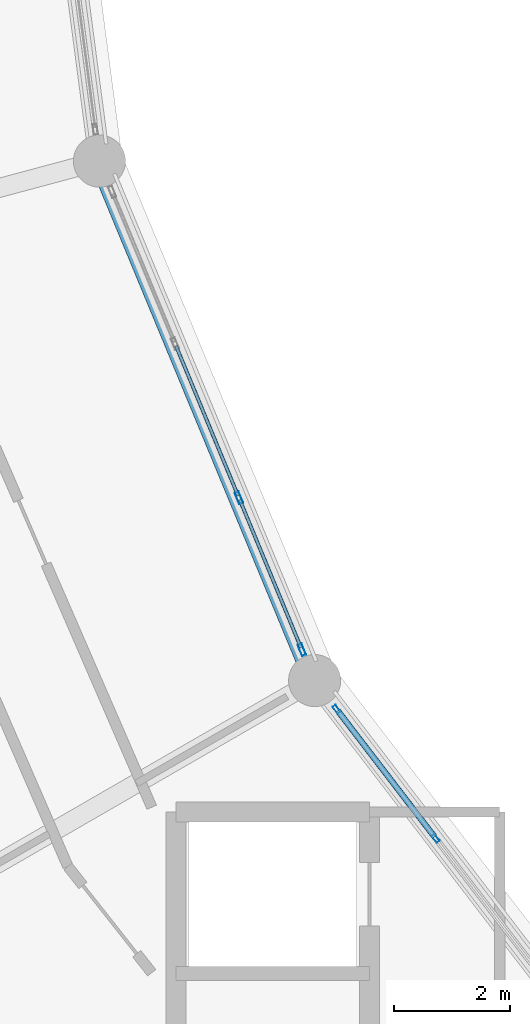
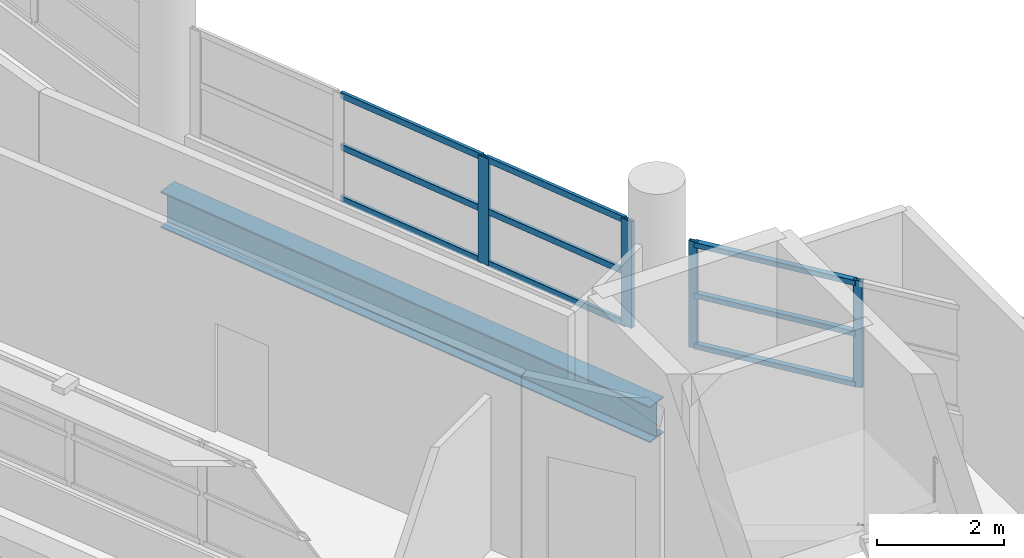
# One storey, part 32 of 108: 13 members, 1 beam, 2 elements without a shape of their own.
"""IFC4 building model written with IfcOpenShell, lengths in metres."""

from ifc_helpers import new_model, si_unit, direction, frame, origin, origin_2d, place, context, subcontext, project, spatial, hollow_rectangle, i_section, extrude, material, layer, layer_set, material_profile, profile_set, type_object, element, aggregate, save


model = new_model("IFC4")

# Units and contexts
model_context = context("Model", 3, precision=1e-05, world=origin(), true_north=direction((0.0, 1.0)))
body_context = subcontext(model_context, "Body", "Model", "MODEL_VIEW")
ifc_project = project(units=[si_unit("LENGTHUNIT", "METRE"), si_unit("AREAUNIT", "SQUARE_METRE"), si_unit("VOLUMEUNIT", "CUBIC_METRE"), si_unit("PLANEANGLEUNIT", "RADIAN"), si_unit("MASSUNIT", "GRAM", prefix="KILO")], contexts=[model_context])

# Site, building, storey
site_placement = place(None, origin())
site = spatial("IfcSite", under=ifc_project, at=site_placement, CompositionType="ELEMENT")
building_placement = place(site_placement, origin())
building = spatial("IfcBuilding", under=site, at=building_placement, Name="Vespera Passage Community Centre", CompositionType="ELEMENT")
storey_placement = place(building_placement, frame((0.0, 0.0, 12.60009765625)))
storey = spatial("IfcBuildingStorey", under=building, at=storey_placement, Name="L03", CompositionType="ELEMENT", Elevation=12.60009765625)

# Beam
ifc_material_1 = material(Name="Steel ASTM A992 Grade 50", Category="steel")
ifc_material_profile_1 = material_profile(ifc_material_1, i_section(OverallWidth=0.3544921875, OverallDepth=0.695556640625, WebThickness=0.015380859375, FlangeThickness=0.024658203125, FilletRadius=0.01513671875, at=origin_2d()), Name="W27X146")
ifc_profile_set_1 = profile_set([ifc_material_profile_1], Name="Steel ASTM A992 Grade 50")
beam_type = type_object("IfcBeamType", Name="BM-SP-W27X146E", PredefinedType="SPANDREL", material=ifc_profile_set_1)
beam_placement = place(storey_placement, frame((42.067626953125, 55.871826171875, -0.747802734375), z_axis=(0.382684844258, -0.923878947685, 0.0), x_axis=(0.923878947685, 0.382684844258, 0.0)))
element("IfcBeam", 1, at=beam_placement, inside=storey, type_object=beam_type, Name="V4 L03 Inner Spandrel 13", PredefinedType="SPANDREL", context=body_context, shape_type="SweptSolid", body=[
    extrude(i_section(OverallWidth=0.3544921875, OverallDepth=0.695556640625, WebThickness=0.015380859375, FlangeThickness=0.024658203125, FilletRadius=0.01513671875, at=origin_2d()), origin(), (0.0, 0.0, 1.0), 9.711181640625),
])

# Curtain wall, members
ifc_material_2 = material(Name="Anodized aluminium 6063-T6", Category="aluminium")
ifc_layer_1 = layer(ifc_material_2, 0.159912109375)
ifc_layer_set_1 = layer_set([ifc_layer_1], Name="Anodized aluminium 6063-T6")
curtain_wall_type_1 = type_object("IfcCurtainWallType", Name="CW-45E", PredefinedType="NOTDEFINED", material=ifc_layer_set_1)
curtain_wall_1_placement = place(storey_placement, origin())
curtain_wall_1 = element("IfcCurtainWall", 2, at=curtain_wall_1_placement, inside=storey, type_object=curtain_wall_type_1, Name="V4 L03 Inner Court Curtain Wall 14", PredefinedType="NOTDEFINED")
ifc_material_3 = material(Name="Anodized aluminium 6063-T6", Category="aluminium")
ifc_material_profile_2 = material_profile(ifc_material_3, hollow_rectangle(XDim=0.06494140625, YDim=0.14990234375, WallThickness=0.00390625, InnerFilletRadius=0.001953125, OuterFilletRadius=0.00390625, at=origin_2d()), Name="ALU150X65X4")
ifc_profile_set_2 = profile_set([ifc_material_profile_2], Name="Anodized aluminium 6063-T6")
member_type_1 = type_object("IfcMemberType", Name="MB-CWM-150E", PredefinedType="MULLION", material=ifc_profile_set_2)
member_1_placement = place(storey_placement, frame((46.164794921875, 46.403564453125, 0.81982421875), z_axis=(0.0, 0.0, 1.0), x_axis=(0.793358205999, 0.608755087843, 0.0)))
member_1 = element("IfcMember", 3, at=member_1_placement, type_object=member_type_1, Name="CW-45E mullion 1", PredefinedType="MULLION", context=body_context, shape_type="SweptSolid", body=[
    extrude(hollow_rectangle(XDim=0.06494140625, YDim=0.14990234375, WallThickness=0.00390625, InnerFilletRadius=0.001953125, OuterFilletRadius=0.00390625, at=origin_2d()), origin(), (0.0, 0.0, 1.0), 2.049560546875),
])
member_2_placement = place(storey_placement, frame((47.874755859375, 44.175048828125, 0.81982421875), z_axis=(0.0, 0.0, 1.0), x_axis=(0.793358205999, 0.608755087843, 0.0)))
member_2 = element("IfcMember", 4, at=member_2_placement, type_object=member_type_1, Name="CW-45E mullion 2", PredefinedType="MULLION", context=body_context, shape_type="SweptSolid", body=[
    extrude(hollow_rectangle(XDim=0.06494140625, YDim=0.14990234375, WallThickness=0.00390625, InnerFilletRadius=0.001953125, OuterFilletRadius=0.00390625, at=origin_2d()), origin(), (0.0, 0.0, 1.0), 2.049560546875),
])

ifc_material_4 = material(Name="Anodized aluminium 6063-T6", Category="aluminium")
ifc_layer_2 = layer(ifc_material_4, 0.159912109375)
ifc_layer_set_2 = layer_set([ifc_layer_2], Name="Anodized aluminium 6063-T6")
curtain_wall_type_2 = type_object("IfcCurtainWallType", Name="CW-40E", PredefinedType="NOTDEFINED", material=ifc_layer_set_2)
curtain_wall_2_placement = place(storey_placement, origin())
curtain_wall_2 = element("IfcCurtainWall", 5, at=curtain_wall_2_placement, inside=storey, type_object=curtain_wall_type_2, Name="V4 L03 Inner Court Curtain Wall 13", PredefinedType="NOTDEFINED")
ifc_material_5 = material(Name="Anodized aluminium 6063-T6", Category="aluminium")
ifc_material_profile_3 = material_profile(ifc_material_5, hollow_rectangle(XDim=0.074951171875, YDim=0.2099609375, WallThickness=0.0048828125, InnerFilletRadius=0.00244140625, OuterFilletRadius=0.0048828125, at=origin_2d()), Name="ALU210X75X5")
ifc_profile_set_3 = profile_set([ifc_material_profile_3], Name="Anodized aluminium 6063-T6")
member_type_2 = type_object("IfcMemberType", Name="MB-CWM-210E", PredefinedType="MULLION", material=ifc_profile_set_3)
member_3_placement = place(storey_placement, frame((44.476318359375, 50.056884765625, 0.81982421875), z_axis=(0.0, 0.0, 1.0), x_axis=(0.923876620096, 0.382690463482, 0.0)))
member_3 = element("IfcMember", 6, at=member_3_placement, type_object=member_type_2, Name="CW-40E mullion 3", PredefinedType="MULLION", context=body_context, shape_type="SweptSolid", body=[
    extrude(hollow_rectangle(XDim=0.074951171875, YDim=0.2099609375, WallThickness=0.0048828125, InnerFilletRadius=0.00244140625, OuterFilletRadius=0.0048828125, at=origin_2d()), origin(), (0.0, 0.0, 1.0), 2.049560546875),
])
member_4_placement = place(storey_placement, frame((45.56298828125, 47.433349609375, 0.81982421875), z_axis=(0.0, 0.0, 1.0), x_axis=(0.923876620096, 0.382690463482, 0.0)))
member_4 = element("IfcMember", 7, at=member_4_placement, type_object=member_type_2, Name="CW-40E mullion 4", PredefinedType="MULLION", context=body_context, shape_type="SweptSolid", body=[
    extrude(hollow_rectangle(XDim=0.074951171875, YDim=0.2099609375, WallThickness=0.0048828125, InnerFilletRadius=0.00244140625, OuterFilletRadius=0.0048828125, at=origin_2d()), origin(), (0.0, 0.0, 1.0), 2.049560546875),
])

# Member
ifc_material_6 = material(Name="Anodized aluminium 6063-T6", Category="aluminium")
ifc_material_profile_4 = material_profile(ifc_material_6, hollow_rectangle(XDim=0.10009765625, YDim=0.10009765625, WallThickness=0.00390625, InnerFilletRadius=0.001953125, OuterFilletRadius=0.00390625, at=origin_2d()), Name="ALU100X100X4")
ifc_profile_set_4 = profile_set([ifc_material_profile_4], Name="Anodized aluminium 6063-T6")
member_type_3 = type_object("IfcMemberType", Name="MB-CWT-100E", PredefinedType="USERDEFINED", material=ifc_profile_set_4)
member_5_placement = place(storey_placement, frame((46.1845703125, 46.3779296875, 0.869873046875), z_axis=(0.608704195162, -0.793397254086, 0.0), x_axis=(0.793397254086, 0.608704195162, 0.0)))
member_5 = element("IfcMember", 8, at=member_5_placement, type_object=member_type_3, Name="CW-45E transom 1.1", ObjectType="TRANSOM", PredefinedType="USERDEFINED", context=body_context, shape_type="SweptSolid", body=[
    extrude(hollow_rectangle(XDim=0.10009765625, YDim=0.10009765625, WallThickness=0.00390625, InnerFilletRadius=0.001953125, OuterFilletRadius=0.00390625, at=origin_2d()), origin(), (0.0, 0.0, 1.0), 2.744140625),
])

member_6_placement = place(storey_placement, frame((46.1845703125, 46.3779296875, 1.844482421875), z_axis=(0.608704195162, -0.793397254086, 0.0), x_axis=(0.793397254086, 0.608704195162, 0.0)))
member_6 = element("IfcMember", 9, at=member_6_placement, type_object=member_type_3, Name="CW-45E transom 1.2", ObjectType="TRANSOM", PredefinedType="USERDEFINED", context=body_context, shape_type="SweptSolid", body=[
    extrude(hollow_rectangle(XDim=0.10009765625, YDim=0.10009765625, WallThickness=0.00390625, InnerFilletRadius=0.001953125, OuterFilletRadius=0.00390625, at=origin_2d()), origin(), (0.0, 0.0, 1.0), 2.744140625),
])

member_7_placement = place(storey_placement, frame((46.1845703125, 46.3779296875, 2.8193359375), z_axis=(0.608704195162, -0.793397254086, 0.0), x_axis=(0.793397254086, 0.608704195162, 0.0)))
member_7 = element("IfcMember", 10, at=member_7_placement, type_object=member_type_3, Name="CW-45E transom 1.3", ObjectType="TRANSOM", PredefinedType="USERDEFINED", context=body_context, shape_type="SweptSolid", body=[
    extrude(hollow_rectangle(XDim=0.10009765625, YDim=0.10009765625, WallThickness=0.00390625, InnerFilletRadius=0.001953125, OuterFilletRadius=0.00390625, at=origin_2d()), origin(), (0.0, 0.0, 1.0), 2.744140625),
])

aggregate(curtain_wall_1, [member_1, member_2, member_5, member_6, member_7])

ifc_material_7 = material(Name="Anodized aluminium 6063-T6", Category="aluminium")
ifc_material_profile_5 = material_profile(ifc_material_7, hollow_rectangle(XDim=0.06005859375, YDim=0.1201171875, WallThickness=0.00390625, InnerFilletRadius=0.001953125, OuterFilletRadius=0.00390625, at=origin_2d()), Name="ALU120X60X4")
ifc_profile_set_5 = profile_set([ifc_material_profile_5], Name="Anodized aluminium 6063-T6")
member_type_4 = type_object("IfcMemberType", Name="MB-CWT-120E", PredefinedType="USERDEFINED", material=ifc_profile_set_5)
member_8_placement = place(storey_placement, frame((43.3896484375, 52.680419921875, 0.849853515625), z_axis=(0.382659588994, -0.923889408399, 0.0), x_axis=(0.923889408399, 0.382659588994, 0.0)))
member_8 = element("IfcMember", 11, at=member_8_placement, type_object=member_type_4, Name="CW-40E transom 2.1", ObjectType="TRANSOM", PredefinedType="USERDEFINED", context=body_context, shape_type="SweptSolid", body=[
    extrude(hollow_rectangle(XDim=0.06005859375, YDim=0.1201171875, WallThickness=0.00390625, InnerFilletRadius=0.001953125, OuterFilletRadius=0.00390625, at=origin_2d()), origin(), (0.0, 0.0, 1.0), 2.80224609375),
])

member_9_placement = place(storey_placement, frame((43.3896484375, 52.680419921875, 1.844482421875), z_axis=(0.382659588994, -0.923889408399, 0.0), x_axis=(0.923889408399, 0.382659588994, 0.0)))
member_9 = element("IfcMember", 12, at=member_9_placement, type_object=member_type_4, Name="CW-40E transom 2.2", ObjectType="TRANSOM", PredefinedType="USERDEFINED", context=body_context, shape_type="SweptSolid", body=[
    extrude(hollow_rectangle(XDim=0.06005859375, YDim=0.1201171875, WallThickness=0.00390625, InnerFilletRadius=0.001953125, OuterFilletRadius=0.00390625, at=origin_2d()), origin(), (0.0, 0.0, 1.0), 2.80224609375),
])

member_10_placement = place(storey_placement, frame((43.3896484375, 52.680419921875, 2.83935546875), z_axis=(0.382659588994, -0.923889408399, 0.0), x_axis=(0.923889408399, 0.382659588994, 0.0)))
member_10 = element("IfcMember", 13, at=member_10_placement, type_object=member_type_4, Name="CW-40E transom 2.3", ObjectType="TRANSOM", PredefinedType="USERDEFINED", context=body_context, shape_type="SweptSolid", body=[
    extrude(hollow_rectangle(XDim=0.06005859375, YDim=0.1201171875, WallThickness=0.00390625, InnerFilletRadius=0.001953125, OuterFilletRadius=0.00390625, at=origin_2d()), origin(), (0.0, 0.0, 1.0), 2.80224609375),
])

member_11_placement = place(storey_placement, frame((44.49072265625, 50.022216796875, 0.849853515625), z_axis=(0.382614353701, -0.923908142805, 0.0), x_axis=(0.923908142805, 0.382614353701, 0.0)))
member_11 = element("IfcMember", 14, at=member_11_placement, type_object=member_type_4, Name="CW-40E transom 3.1", ObjectType="TRANSOM", PredefinedType="USERDEFINED", context=body_context, shape_type="SweptSolid", body=[
    extrude(hollow_rectangle(XDim=0.06005859375, YDim=0.1201171875, WallThickness=0.00390625, InnerFilletRadius=0.001953125, OuterFilletRadius=0.00390625, at=origin_2d()), origin(), (0.0, 0.0, 1.0), 2.764892578125),
])

member_12_placement = place(storey_placement, frame((44.49072265625, 50.022216796875, 1.844482421875), z_axis=(0.382614353701, -0.923908142805, 0.0), x_axis=(0.923908142805, 0.382614353701, 0.0)))
member_12 = element("IfcMember", 15, at=member_12_placement, type_object=member_type_4, Name="CW-40E transom 3.2", ObjectType="TRANSOM", PredefinedType="USERDEFINED", context=body_context, shape_type="SweptSolid", body=[
    extrude(hollow_rectangle(XDim=0.06005859375, YDim=0.1201171875, WallThickness=0.00390625, InnerFilletRadius=0.001953125, OuterFilletRadius=0.00390625, at=origin_2d()), origin(), (0.0, 0.0, 1.0), 2.764892578125),
])

member_13_placement = place(storey_placement, frame((44.49072265625, 50.022216796875, 2.83935546875), z_axis=(0.382614353701, -0.923908142805, 0.0), x_axis=(0.923908142805, 0.382614353701, 0.0)))
member_13 = element("IfcMember", 16, at=member_13_placement, type_object=member_type_4, Name="CW-40E transom 3.3", ObjectType="TRANSOM", PredefinedType="USERDEFINED", context=body_context, shape_type="SweptSolid", body=[
    extrude(hollow_rectangle(XDim=0.06005859375, YDim=0.1201171875, WallThickness=0.00390625, InnerFilletRadius=0.001953125, OuterFilletRadius=0.00390625, at=origin_2d()), origin(), (0.0, 0.0, 1.0), 2.764892578125),
])

aggregate(curtain_wall_2, [member_3, member_4, member_8, member_9, member_10, member_11, member_12, member_13])

save(model, "model.ifc")
